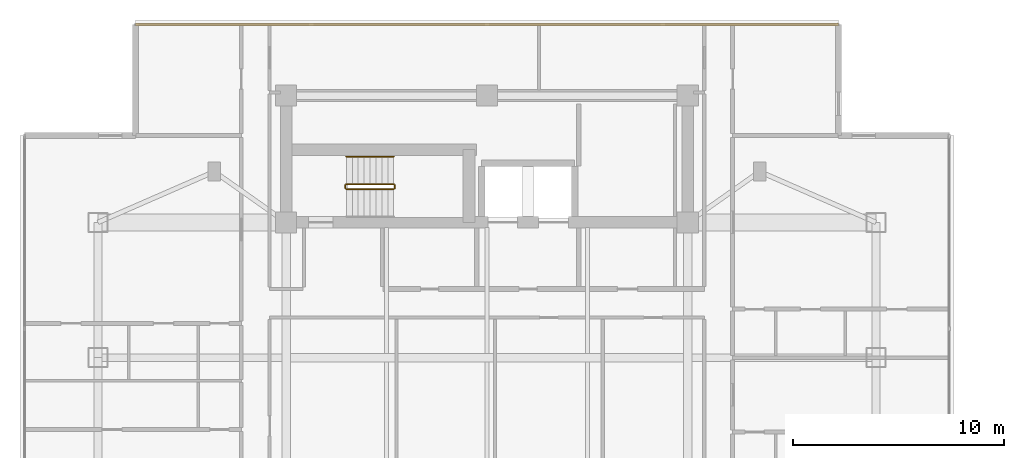
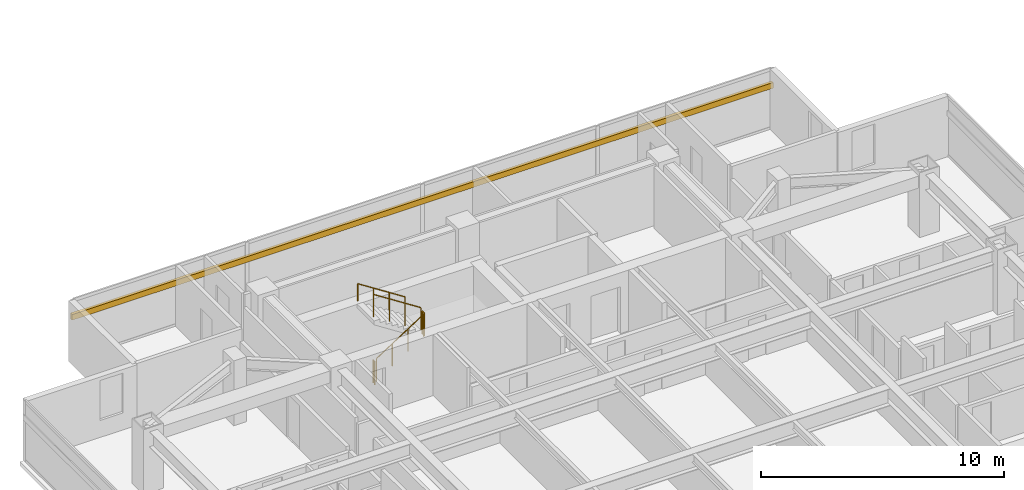
# One storey, part 22 of 25: 5 railings, 1 shading device.
"""IFC4 building model written with IfcOpenShell, lengths in metres."""

from ifc_helpers import new_model, si_unit, direction, frame, origin, origin_2d, place, context, subcontext, project, spatial, rectangle, circle, extrude, material, material_profile, profile_set, type_object, element, save


model = new_model("IFC4")

# Units and contexts
model_context = context("Model", 3, precision=1e-05, world=origin(), true_north=direction((0.0, 1.0)))
body_context = subcontext(model_context, "Body", "Model", "MODEL_VIEW")
ifc_project = project(units=[si_unit("LENGTHUNIT", "METRE"), si_unit("AREAUNIT", "SQUARE_METRE"), si_unit("VOLUMEUNIT", "CUBIC_METRE"), si_unit("PLANEANGLEUNIT", "RADIAN"), si_unit("MASSUNIT", "GRAM", prefix="KILO")], contexts=[model_context])

# Site, building, storey
site_placement = place(None, origin())
site = spatial("IfcSite", under=ifc_project, at=site_placement, CompositionType="ELEMENT")
building_placement = place(site_placement, origin())
building = spatial("IfcBuilding", under=site, at=building_placement, Name="Mirazonda Arch Towers", CompositionType="ELEMENT")
storey_placement = place(building_placement, frame((0.0, 0.0, 180.39990234375)))
storey = spatial("IfcBuildingStorey", under=building, at=storey_placement, Name="L51", CompositionType="ELEMENT", Elevation=180.39990234375)

# Shading device
ifc_material_1 = material(Name="Kiln-Fired Architectural Terracotta", Category="masonry")
ifc_material_profile = material_profile(ifc_material_1, rectangle(XDim=0.139892578125, YDim=0.280029296875, at=origin_2d()), Name="TERRA-BAG-140x280")
ifc_profile_set = profile_set([ifc_material_profile], Name="Kiln-Fired Architectural Terracotta")
shading_device_type = type_object("IfcShadingDeviceType", Name="BAGUETTE-3", PredefinedType="USERDEFINED", material=ifc_profile_set)
shading_device_placement = place(storey_placement, frame((3.875, 46.9541015625, 2.181640625), z_axis=(1.0, 0.0, 0.0), x_axis=(0.0, 1.0, 0.0)))
element("IfcShadingDevice", 1, at=shading_device_placement, inside=storey, type_object=shading_device_type, Name="L51 Glazed Terracotta Sun-Screen Baguette CW-L51-T1-N", ObjectType="BAGUETTE", PredefinedType="USERDEFINED", context=body_context, shape_type="SweptSolid", body=[
    extrude(rectangle(XDim=0.139892578125, YDim=0.280029296875, at=origin_2d()), origin(), (0.0, 0.0, 1.0), 33.25),
])

# Railings
ifc_material_2 = material(Name="Architectural Brushed Steel S355", Category="steel")
railing_type_1 = type_object("IfcRailingType", Name="GUARD-STAIR-1120", PredefinedType="GUARDRAIL", material=ifc_material_2)
railing_1_placement = place(storey_placement, frame((13.85009765625, 39.169921875, 0.1806640625)))
element("IfcRailing", 2, at=railing_1_placement, inside=storey, type_object=railing_type_1, Name="L51 ST-T1N stair guard 1", PredefinedType="GUARDRAIL", context=body_context, shape_type="SweptSolid", body=[
    extrude(circle(Radius=0.02392578125, at=origin_2d()), frame((0.0, 0.0, 1.1259765625), z_axis=(0.840436612492, 0.0, 0.541909863706), x_axis=(0.0, 1.0, 0.0)), (0.0, 0.0, 1.0), 2.665283203125),
    extrude(circle(Radius=0.02099609375, at=origin_2d()), origin(), (0.0, 0.0, 1.0), 1.101806640625),
    extrude(circle(Radius=0.02099609375, at=origin_2d()), frame((0.74658203125, 0.0, 0.4814453125)), (0.0, 0.0, 1.0), 1.101806640625),
    extrude(circle(Radius=0.02099609375, at=origin_2d()), frame((1.493408203125, 0.0, 0.962890625)), (0.0, 0.0, 1.0), 1.101806640625),
    extrude(circle(Radius=0.02099609375, at=origin_2d()), frame((2.239990234375, 0.0, 1.4443359375)), (0.0, 0.0, 1.0), 1.101806640625),
])
railing_2_placement = place(storey_placement, frame((16.139892578125, 39.219970703125, 1.625)))
element("IfcRailing", 3, at=railing_2_placement, inside=storey, type_object=railing_type_1, Name="L51 ST-T1N stair guard 2", PredefinedType="GUARDRAIL", context=body_context, shape_type="SweptSolid", body=[
    extrude(circle(Radius=0.02392578125, at=origin_2d()), frame((0.0, 0.0, 1.1259765625), z_axis=(0.0, 1.0, 0.0), x_axis=(-1.0, 0.0, 0.0)), (0.0, 0.0, 1.0), 0.14013671875),
    extrude(circle(Radius=0.02099609375, at=origin_2d()), origin(), (0.0, 0.0, 1.0), 1.101806640625),
    extrude(circle(Radius=0.02099609375, at=origin_2d()), frame((0.0, 0.14013671875, 0.0)), (0.0, 0.0, 1.0), 1.101806640625),
])
railing_3_placement = place(storey_placement, frame((16.090087890625, 39.409912109375, 1.8056640625)))
element("IfcRailing", 4, at=railing_3_placement, inside=storey, type_object=railing_type_1, Name="L51 ST-T1N stair guard 3", PredefinedType="GUARDRAIL", context=body_context, shape_type="SweptSolid", body=[
    extrude(circle(Radius=0.02392578125, at=origin_2d()), frame((0.0, 0.0, 1.1259765625), z_axis=(-0.840436612492, 0.0, 0.541909863706), x_axis=(0.0, -1.0, 0.0)), (0.0, 0.0, 1.0), 2.665283203125),
    extrude(circle(Radius=0.02099609375, at=origin_2d()), origin(), (0.0, 0.0, 1.0), 1.101806640625),
    extrude(circle(Radius=0.02099609375, at=origin_2d()), frame((-0.74658203125, 0.0, 0.4814453125)), (0.0, 0.0, 1.0), 1.101806640625),
    extrude(circle(Radius=0.02099609375, at=origin_2d()), frame((-1.493408203125, 0.0, 0.962890625)), (0.0, 0.0, 1.0), 1.101806640625),
    extrude(circle(Radius=0.02099609375, at=origin_2d()), frame((-2.239990234375, 0.0, 1.4443359375)), (0.0, 0.0, 1.0), 1.101806640625),
])
railing_4_placement = place(storey_placement, frame((13.800048828125, 39.219970703125, 0.0)))
element("IfcRailing", 5, at=railing_4_placement, inside=storey, type_object=railing_type_1, Name="L51 ST-T1N stair guard 4", PredefinedType="GUARDRAIL", context=body_context, shape_type="SweptSolid", body=[
    extrude(circle(Radius=0.02392578125, at=origin_2d()), frame((0.0, 0.0, 1.1259765625), z_axis=(0.0, 1.0, 0.0), x_axis=(-1.0, 0.0, 0.0)), (0.0, 0.0, 1.0), 0.14013671875),
    extrude(circle(Radius=0.02099609375, at=origin_2d()), origin(), (0.0, 0.0, 1.0), 1.101806640625),
    extrude(circle(Radius=0.02099609375, at=origin_2d()), frame((0.0, 0.14013671875, 0.0)), (0.0, 0.0, 1.0), 1.101806640625),
])
railing_type_2 = type_object("IfcRailingType", Name="HANDRAIL-915", PredefinedType="HANDRAIL", material=ifc_material_2)
railing_5_placement = place(storey_placement, frame((16.090087890625, 40.7099609375, 1.8056640625)))
element("IfcRailing", 6, at=railing_5_placement, inside=storey, type_object=railing_type_2, Name="L51 ST-T1N stair handrail 2", PredefinedType="HANDRAIL", context=body_context, shape_type="SweptSolid", body=[
    extrude(circle(Radius=0.02392578125, at=origin_2d()), frame((0.0, 0.0, 0.8759765625), z_axis=(-0.840436612492, 0.0, 0.541909863706), x_axis=(0.0, -1.0, 0.0)), (0.0, 0.0, 1.0), 2.665283203125),
    extrude(circle(Radius=0.02099609375, at=origin_2d()), origin(), (0.0, 0.0, 1.0), 0.851806640625),
    extrude(circle(Radius=0.02099609375, at=origin_2d()), frame((-0.74658203125, 0.0, 0.4814453125)), (0.0, 0.0, 1.0), 0.851806640625),
    extrude(circle(Radius=0.02099609375, at=origin_2d()), frame((-1.493408203125, 0.0, 0.962890625)), (0.0, 0.0, 1.0), 0.851806640625),
    extrude(circle(Radius=0.02099609375, at=origin_2d()), frame((-2.239990234375, 0.0, 1.4443359375)), (0.0, 0.0, 1.0), 0.851806640625),
])

save(model, "model.ifc")
